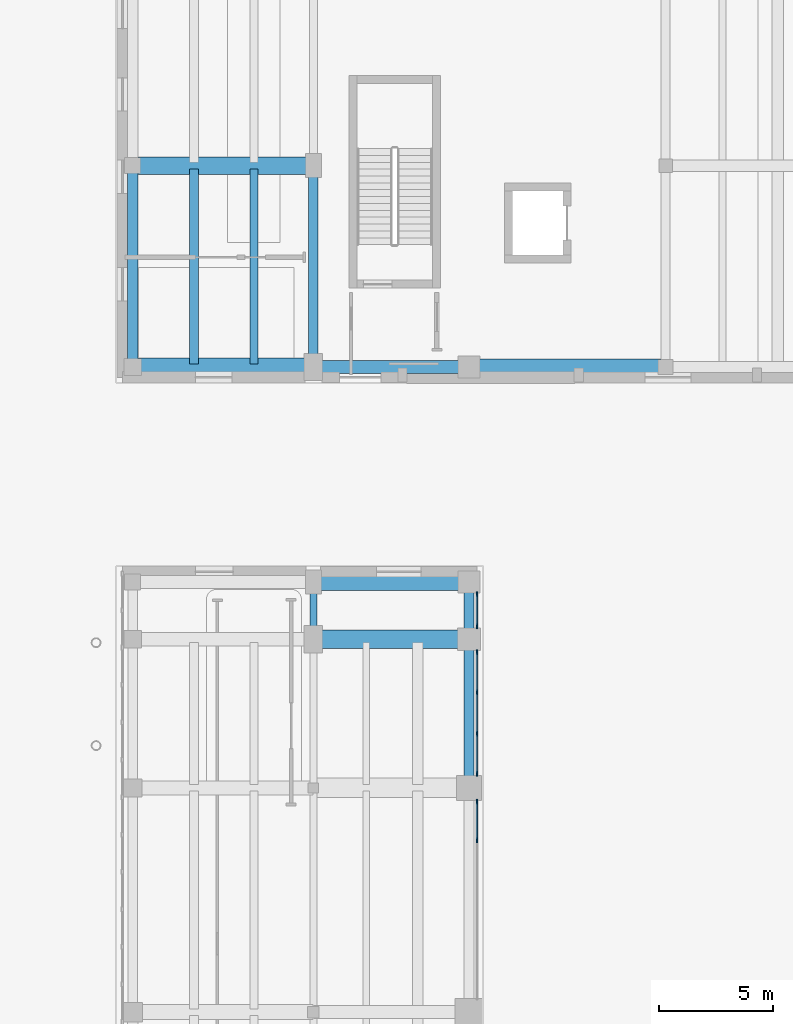
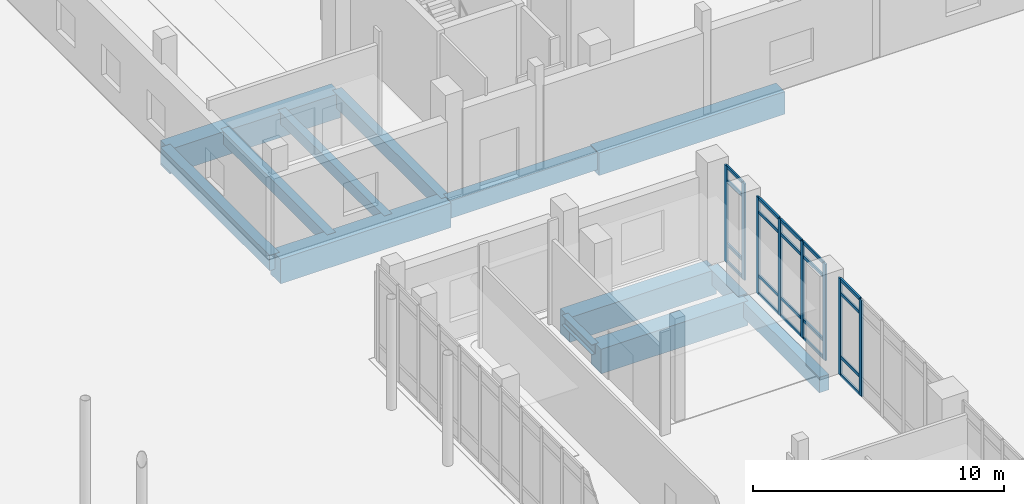
# One storey, part 20 of 74: 28 members, 13 beams, 3 elements without a shape of their own.
"""IFC4 building model written with IfcOpenShell, lengths in metres."""

import ifcopenshell
import ifcopenshell.guid

model = None  # the IFC model being written
_history = None  # IfcOwnerHistory: only IFC2X3 demands one
_inside = {}  # id of a spatial element -> (the spatial element, [elements in it])
_under = {}  # id of a project, library or spatial element -> (it, [spatial elements below it])
_declared = {}  # id of a project -> (the project, [libraries it declares])
_typed = {}  # id of a type object -> (the type object, [elements of that type])
_made_of = {}  # id of a material, layer set ... -> (it, [elements and type objects made of it])


def new_model(schema):
    """Start an empty IFC model of exactly this schema.

    Asked for "IFC4X3", IfcOpenShell would pick the latest addendum, in which some entities
    have other attributes; the version numbers below select the first issue.
    IFC2X3 requires an IfcOwnerHistory on every rooted entity: one is made here for all.
    """
    global model, _history
    if schema == "IFC4X3":
        model = ifcopenshell.file(schema_version=(4, 3, 0, 0))
    else:
        model = ifcopenshell.file(schema=schema)
    _inside.clear()
    _under.clear()
    _declared.clear()
    _typed.clear()
    _made_of.clear()
    _history = None
    if model.schema == "IFC2X3":
        org = make("IfcOrganization", Name="unknown")
        user = make(
            "IfcPersonAndOrganization",
            ThePerson=make("IfcPerson", FamilyName="unknown"),
            TheOrganization=org,
        )
        app = make(
            "IfcApplication",
            ApplicationDeveloper=org,
            Version="unknown",
            ApplicationFullName="unknown",
            ApplicationIdentifier="unknown",
        )
        _history = make(
            "IfcOwnerHistory",
            OwningUser=user,
            OwningApplication=app,
            ChangeAction="ADDED",
            CreationDate=0,
        )
    return model


def make(cls, **values):
    """One entity of the class cls with the attributes given. An attribute that is None is left unset."""
    return model.create_entity(
        cls, **{name: value for name, value in values.items() if value is not None}
    )


def rooted(cls, **values):
    """An entity with a GlobalId (a new one), such as an element, a storey or a relation."""
    return make(cls, GlobalId=ifcopenshell.guid.new(), OwnerHistory=_history, **values)


def si_unit(unit_type, name, prefix=None):
    """IfcSIUnit, for example si_unit("LENGTHUNIT", "METRE", prefix="MILLI")."""
    return make("IfcSIUnit", UnitType=unit_type, Prefix=prefix, Name=name)


def assignment(units):
    """IfcUnitAssignment: the units of a project."""
    return None if units is None else make("IfcUnitAssignment", Units=units)


def point(xyz):
    """IfcCartesianPoint."""
    return None if xyz is None else make("IfcCartesianPoint", Coordinates=xyz)


def direction(xyz):
    """IfcDirection."""
    return None if xyz is None else make("IfcDirection", DirectionRatios=xyz)


def frame(location, z_axis=None, x_axis=None):
    """IfcAxis2Placement3D, a coordinate frame: its origin and axes. An axis left out is left unset."""
    return make(
        "IfcAxis2Placement3D",
        Location=point(location),
        Axis=direction(z_axis),
        RefDirection=direction(x_axis),
    )


def frame_2d(location, x_axis=None):
    """IfcAxis2Placement2D, a coordinate frame in the plane: its origin and x axis."""
    return make(
        "IfcAxis2Placement2D", Location=point(location), RefDirection=direction(x_axis)
    )


def origin():
    """The frame at (0, 0, 0) with its axes left unset."""
    return frame((0.0, 0.0, 0.0))


def origin_2d():
    """The frame at (0, 0) in the plane with its x axis left unset."""
    return frame_2d((0.0, 0.0))


def place(relative_to, where):
    """IfcLocalPlacement: puts the frame where relative to a parent placement (None: the world)."""
    return make(
        "IfcLocalPlacement", PlacementRelTo=relative_to, RelativePlacement=where
    )


def context(
    kind, dimensions, precision=None, world=None, true_north=None, identifier=None
):
    """IfcGeometricRepresentationContext, for example the 3D "Model" context."""
    return make(
        "IfcGeometricRepresentationContext",
        ContextIdentifier=identifier,
        ContextType=kind,
        CoordinateSpaceDimension=dimensions,
        Precision=precision,
        WorldCoordinateSystem=world,
        TrueNorth=true_north,
    )


def subcontext(parent, identifier, kind, view, scale=None):
    """IfcGeometricRepresentationSubContext, for example "Body" below "Model"."""
    return make(
        "IfcGeometricRepresentationSubContext",
        ContextIdentifier=identifier,
        ContextType=kind,
        ParentContext=parent,
        TargetScale=scale,
        TargetView=view,
    )


def project(units=None, contexts=None):
    """IfcProject with its units and contexts."""
    return rooted(
        "IfcProject",
        Name="project",
        RepresentationContexts=contexts,
        UnitsInContext=assignment(units),
    )


def spatial(cls, under=None, at=None, **own):
    """A site, building, storey or space (cls), placed at a placement, below another one or the project."""
    s = rooted(cls, ObjectPlacement=at, **own)
    if under is not None:
        _under.setdefault(under.id(), (under, []))[1].append(s)
    return s


def profile(cls, at=None, kind="AREA", **sizes):
    """A parametric profile (cls). Its sizes go by their IFC names, for example OverallWidth=200.0."""
    return make(cls, ProfileType=kind, Position=at, **sizes)


def rectangle(**sizes):
    """IfcRectangleProfileDef."""
    return profile("IfcRectangleProfileDef", **sizes)


def i_section(**sizes):
    """IfcIShapeProfileDef."""
    return profile("IfcIShapeProfileDef", **sizes)


def extrude(swept, where, along, depth):
    """IfcExtrudedAreaSolid: the profile swept, set in the frame where, extruded along a direction by depth."""
    return make(
        "IfcExtrudedAreaSolid",
        SweptArea=swept,
        Position=where,
        ExtrudedDirection=direction(along),
        Depth=depth,
    )


def shape(context_of_items, identifier, shape_type, items):
    """IfcShapeRepresentation: the items that make up one representation, for example the "Body"."""
    return make(
        "IfcShapeRepresentation",
        ContextOfItems=context_of_items,
        RepresentationIdentifier=identifier,
        RepresentationType=shape_type,
        Items=items,
    )


def material(Name=None, Category=None):
    """IfcMaterial."""
    return make("IfcMaterial", Name=Name, Category=Category)


def material_profile(
    of_material, cross_section, Name=None, Category=None, Priority=None
):
    """IfcMaterialProfile: a cross section and its material."""
    return make(
        "IfcMaterialProfile",
        Name=Name,
        Material=of_material,
        Profile=cross_section,
        Priority=Priority,
        Category=Category,
    )


def profile_set(profiles, Name=None, composite=None):
    """IfcMaterialProfileSet."""
    return make(
        "IfcMaterialProfileSet",
        Name=Name,
        MaterialProfiles=profiles,
        CompositeProfile=composite,
    )


def made_of(thing, what):
    """Note that an element or type object is made of a material, layer set ...; save() writes the relation."""
    if what is not None:
        _made_of.setdefault(what.id(), (what, []))[1].append(thing)
    return thing


def type_object(cls, material=None, **own):
    """A type object (cls), such as IfcWallType, which elements share."""
    return made_of(rooted(cls, **own), material)


def element(
    cls,
    number,
    at=None,
    inside=None,
    cuts=None,
    type_object=None,
    material=None,
    context=None,
    identifier="Body",
    shape_type=None,
    held_by="IfcProductDefinitionShape",
    body=None,
    shapes=None,
    **own,
):
    """One element of the class cls, such as IfcWall. Its Tag is "e" and its number.

    at: its placement. inside: the storey or other place that contains it. cuts: it is an
    opening in that element (IfcRelVoidsElement). A single representation is given by context,
    identifier, shape_type and body (its items); several are given by shapes. held_by: the class
    of the entity that holds the representations. save() writes the other relations.
    """
    e = rooted(cls, Tag="e%d" % number, ObjectPlacement=at, **own)
    if body is not None:
        shapes = [shape(context, identifier, shape_type, body)]
    if shapes is not None:
        e.Representation = make(held_by, Representations=shapes)
    if inside is not None:
        _inside.setdefault(inside.id(), (inside, []))[1].append(e)
    if cuts is not None:
        rooted(
            "IfcRelVoidsElement", RelatingBuildingElement=cuts, RelatedOpeningElement=e
        )
    if type_object is not None:
        _typed.setdefault(type_object.id(), (type_object, []))[1].append(e)
    return made_of(e, material)


def aggregate(whole, parts):
    """IfcRelAggregates: a whole, such as a stair, and the parts it consists of."""
    return rooted("IfcRelAggregates", RelatingObject=whole, RelatedObjects=parts)


def save(model, path):
    """Write the relations noted so far, then the file.

    IfcRelAggregates (storeys below a building ...), IfcRelContainedInSpatialStructure (elements
    in a storey), IfcRelDefinesByType, IfcRelAssociatesMaterial and IfcRelDeclares: one each for
    every whole, place, type object, material and project.
    """
    for whole, parts in _under.values():
        aggregate(whole, parts)
    for where, things in _inside.values():
        rooted(
            "IfcRelContainedInSpatialStructure",
            RelatedElements=things,
            RelatingStructure=where,
        )
    for kind, things in _typed.values():
        rooted("IfcRelDefinesByType", RelatedObjects=things, RelatingType=kind)
    for what, things in _made_of.values():
        rooted("IfcRelAssociatesMaterial", RelatedObjects=things, RelatingMaterial=what)
    for by, libraries in _declared.values():
        rooted("IfcRelDeclares", RelatingContext=by, RelatedDefinitions=libraries)
    model.write(path)


model = new_model("IFC4")

# Units and contexts
model_context = context("Model", 3, precision=1e-05, world=origin(), true_north=direction((0.0, 1.0)))
body_context = subcontext(model_context, "Body", "Model", "MODEL_VIEW")
ifc_project = project(units=[si_unit("LENGTHUNIT", "METRE"), si_unit("AREAUNIT", "SQUARE_METRE"), si_unit("VOLUMEUNIT", "CUBIC_METRE"), si_unit("PLANEANGLEUNIT", "RADIAN"), si_unit("MASSUNIT", "GRAM", prefix="KILO")], contexts=[model_context])

# Site, building, storey
site_placement = place(None, origin())
site = spatial("IfcSite", under=ifc_project, at=site_placement, CompositionType="ELEMENT")
building_placement = place(site_placement, origin())
building = spatial("IfcBuilding", under=site, at=building_placement, Name="Soyqirgoq Riverine Aquarium", CompositionType="ELEMENT")
storey_placement = place(building_placement, origin())
storey = spatial("IfcBuildingStorey", under=building, at=storey_placement, Name="L01", CompositionType="ELEMENT", Elevation=0.0)

# Beams
ifc_material_1 = material(Name="Concrete C40/50", Category="concrete")
ifc_material_profile_1 = material_profile(ifc_material_1, rectangle(XDim=0.39990234375, YDim=0.60009765625, at=origin_2d()), Name="RC 400x600")
ifc_profile_set_1 = profile_set([ifc_material_profile_1], Name="Concrete C40/50")
beam_type_1 = type_object("IfcBeamType", Name="Beam_RC_400x600", PredefinedType="JOIST", material=ifc_profile_set_1)
beam_1_placement = place(storey_placement, frame((117.385986328125, 56.840087890625, -0.719970703125), z_axis=(0.0, 1.0, 0.0), x_axis=(-1.0, 0.0, 0.0)))
element("IfcBeam", 1, at=beam_1_placement, inside=storey, type_object=beam_type_1, Name="V7 L01 Secondary Bay Joist 1257", PredefinedType="JOIST", context=body_context, shape_type="SweptSolid", body=[
    extrude(rectangle(XDim=0.39990234375, YDim=0.60009765625, at=origin_2d()), origin(), (0.0, 0.0, 1.0), 8.52001953125),
])
ifc_material_2 = material(Name="Concrete C40/50", Category="concrete")
ifc_material_profile_2 = material_profile(ifc_material_2, rectangle(XDim=0.419921875, YDim=0.679931640625, at=origin_2d()), Name="RC 420x680")
ifc_profile_set_2 = profile_set([ifc_material_profile_2], Name="Concrete C40/50")
beam_type_2 = type_object("IfcBeamType", Name="Beam_RC_420x680", PredefinedType="BEAM", material=ifc_profile_set_2)
beam_2_placement = place(storey_placement, frame((122.60009765625, 56.75, -0.760009765625), z_axis=(0.0, 1.0, 0.0), x_axis=(-1.0, 0.0, 0.0)))
element("IfcBeam", 2, at=beam_2_placement, inside=storey, type_object=beam_type_2, Name="V7 L01 North-South Frame Beam 1222", PredefinedType="BEAM", context=body_context, shape_type="SweptSolid", body=[
    extrude(rectangle(XDim=0.419921875, YDim=0.679931640625, at=origin_2d()), origin(), (0.0, 0.0, 1.0), 8.699951171875),
])
ifc_material_3 = material(Name="Concrete C40/50", Category="concrete")
ifc_material_profile_3 = material_profile(ifc_material_3, rectangle(XDim=0.449951171875, YDim=0.699951171875, at=origin_2d()), Name="RC 450x700")
ifc_profile_set_3 = profile_set([ifc_material_profile_3], Name="Concrete C40/50")
beam_type_3 = type_object("IfcBeamType", Name="Beam_RC_450x700", PredefinedType="BEAM", material=ifc_profile_set_3)
beam_3_placement = place(storey_placement, frame((129.39990234375, 44.85009765625, -0.699951171875), z_axis=(0.0, 1.0, 0.0), x_axis=(-1.0, 0.0, 0.0)))
element("IfcBeam", 3, at=beam_3_placement, inside=storey, type_object=beam_type_3, Name="V6 L01 North-South Frame Beam 1036", PredefinedType="BEAM", context=body_context, shape_type="SweptSolid", body=[
    extrude(rectangle(XDim=0.449951171875, YDim=0.699951171875, at=origin_2d()), origin(), (0.0, 0.0, 1.0), 2.39990234375),
])
ifc_material_4 = material(Name="Concrete C40/50", Category="concrete")
ifc_material_profile_4 = material_profile(ifc_material_4, rectangle(XDim=0.449951171875, YDim=0.75, at=origin_2d()), Name="RC 450x750")
ifc_profile_set_4 = profile_set([ifc_material_profile_4], Name="Concrete C40/50")
beam_type_4 = type_object("IfcBeamType", Name="Beam_RC_450x750", PredefinedType="BEAM", material=ifc_profile_set_4)
beam_4_placement = place(storey_placement, frame((129.39990234375, 38.35009765625, -0.72509765625), z_axis=(0.0, 1.0, 0.0), x_axis=(-1.0, 0.0, 0.0)))
element("IfcBeam", 4, at=beam_4_placement, inside=storey, type_object=beam_type_4, Name="V6 L01 North-South Frame Beam 1035", PredefinedType="BEAM", context=body_context, shape_type="SweptSolid", body=[
    extrude(rectangle(XDim=0.449951171875, YDim=0.75, at=origin_2d()), origin(), (0.0, 0.0, 1.0), 6.39990234375),
])
beam_5_placement = place(storey_placement, frame((114.699951171875, 56.75, -0.794921875), z_axis=(0.0, 1.0, 0.0), x_axis=(-1.0, 0.0, 0.0)))
element("IfcBeam", 5, at=beam_5_placement, inside=storey, type_object=beam_type_4, Name="V7 L01 North-South Frame Beam 1209", PredefinedType="BEAM", context=body_context, shape_type="SweptSolid", body=[
    extrude(rectangle(XDim=0.449951171875, YDim=0.75, at=origin_2d()), origin(), (0.0, 0.0, 1.0), 8.699951171875),
])

# Curtain wall, members
ifc_material_5 = material(Name="Structural silicone glazed entrance curtain wall", Category="aluminium")
curtain_wall_type = type_object("IfcCurtainWallType", Name="CW_Portal_Entrance", PredefinedType="NOTDEFINED", material=ifc_material_5)
curtain_wall_1_placement = place(storey_placement, origin())
curtain_wall_1 = element("IfcCurtainWall", 6, at=curtain_wall_1_placement, inside=storey, type_object=curtain_wall_type, Name="V6 L01 Curtain Wall 107", PredefinedType="NOTDEFINED")
ifc_material_6 = material(Name="Anodised aluminium 6063-T6", Category="aluminium")
ifc_material_profile_5 = material_profile(ifc_material_6, rectangle(XDim=0.080078125, YDim=0.219970703125, at=origin_2d()), Name="ALU-M 80x220")
ifc_profile_set_5 = profile_set([ifc_material_profile_5], Name="Anodised aluminium 6063-T6")
member_type_1 = type_object("IfcMemberType", Name="CWMullion_80x220", PredefinedType="MULLION", material=ifc_profile_set_5)
member_1_placement = place(storey_placement, frame((129.75, 46.764892578125, 0.0), z_axis=(0.0, 0.0, 1.0), x_axis=(1.0, 0.0, 0.0)))
member_1 = element("IfcMember", 7, at=member_1_placement, type_object=member_type_1, Name="CW-04 mullion 1", PredefinedType="MULLION", context=body_context, shape_type="SweptSolid", body=[
    extrude(rectangle(XDim=0.080078125, YDim=0.219970703125, at=origin_2d()), origin(), (0.0, 0.0, 1.0), 4.699951171875),
])
member_2_placement = place(storey_placement, frame((129.75, 45.360107421875, 0.0), z_axis=(0.0, 0.0, 1.0), x_axis=(1.0, 0.0, 0.0)))
member_2 = element("IfcMember", 8, at=member_2_placement, type_object=member_type_1, Name="CW-04 mullion 2", PredefinedType="MULLION", context=body_context, shape_type="SweptSolid", body=[
    extrude(rectangle(XDim=0.080078125, YDim=0.219970703125, at=origin_2d()), origin(), (0.0, 0.0, 1.0), 4.699951171875),
])

curtain_wall_2_placement = place(storey_placement, origin())
curtain_wall_2 = element("IfcCurtainWall", 9, at=curtain_wall_2_placement, inside=storey, type_object=curtain_wall_type, Name="V6 L01 Curtain Wall 108", PredefinedType="NOTDEFINED")
member_3_placement = place(storey_placement, frame((129.75, 44.239990234375, 0.0), z_axis=(0.0, 0.0, 1.0), x_axis=(1.0, 0.0, 0.0)))
member_3 = element("IfcMember", 10, at=member_3_placement, type_object=member_type_1, Name="CW-04 mullion 1", PredefinedType="MULLION", context=body_context, shape_type="SweptSolid", body=[
    extrude(rectangle(XDim=0.080078125, YDim=0.219970703125, at=origin_2d()), origin(), (0.0, 0.0, 1.0), 4.699951171875),
])
member_4_placement = place(storey_placement, frame((129.75, 42.4765625, 0.0), z_axis=(0.0, 0.0, 1.0), x_axis=(1.0, 0.0, 0.0)))
member_4 = element("IfcMember", 11, at=member_4_placement, type_object=member_type_1, Name="CW-04 mullion 2", PredefinedType="MULLION", context=body_context, shape_type="SweptSolid", body=[
    extrude(rectangle(XDim=0.080078125, YDim=0.219970703125, at=origin_2d()), origin(), (0.0, 0.0, 1.0), 4.699951171875),
])
member_5_placement = place(storey_placement, frame((129.75, 40.67333984375, 0.0), z_axis=(0.0, 0.0, 1.0), x_axis=(1.0, 0.0, 0.0)))
member_5 = element("IfcMember", 12, at=member_5_placement, type_object=member_type_1, Name="CW-04 mullion 3", PredefinedType="MULLION", context=body_context, shape_type="SweptSolid", body=[
    extrude(rectangle(XDim=0.080078125, YDim=0.219970703125, at=origin_2d()), origin(), (0.0, 0.0, 1.0), 4.699951171875),
])
member_6_placement = place(storey_placement, frame((129.75, 38.909912109375, 0.0), z_axis=(0.0, 0.0, 1.0), x_axis=(1.0, 0.0, 0.0)))
member_6 = element("IfcMember", 13, at=member_6_placement, type_object=member_type_1, Name="CW-04 mullion 4", PredefinedType="MULLION", context=body_context, shape_type="SweptSolid", body=[
    extrude(rectangle(XDim=0.080078125, YDim=0.219970703125, at=origin_2d()), origin(), (0.0, 0.0, 1.0), 4.699951171875),
])

curtain_wall_3_placement = place(storey_placement, origin())
curtain_wall_3 = element("IfcCurtainWall", 14, at=curtain_wall_3_placement, inside=storey, type_object=curtain_wall_type, Name="V6 L01 Curtain Wall 109", PredefinedType="NOTDEFINED")
member_7_placement = place(storey_placement, frame((129.75, 37.68994140625, 0.0), z_axis=(0.0, 0.0, 1.0), x_axis=(1.0, 0.0, 0.0)))
member_7 = element("IfcMember", 15, at=member_7_placement, type_object=member_type_1, Name="CW-04 mullion 1", PredefinedType="MULLION", context=body_context, shape_type="SweptSolid", body=[
    extrude(rectangle(XDim=0.080078125, YDim=0.219970703125, at=origin_2d()), origin(), (0.0, 0.0, 1.0), 4.699951171875),
])
member_8_placement = place(storey_placement, frame((129.75, 36.008056640625, 0.0), z_axis=(0.0, 0.0, 1.0), x_axis=(1.0, 0.0, 0.0)))
member_8 = element("IfcMember", 16, at=member_8_placement, type_object=member_type_1, Name="CW-04 mullion 2", PredefinedType="MULLION", context=body_context, shape_type="SweptSolid", body=[
    extrude(rectangle(XDim=0.080078125, YDim=0.219970703125, at=origin_2d()), origin(), (0.0, 0.0, 1.0), 4.699951171875),
])

# Member
ifc_material_7 = material(Name="Anodised aluminium 6063-T6", Category="aluminium")
ifc_material_profile_6 = material_profile(ifc_material_7, rectangle(XDim=0.074951171875, YDim=0.14990234375, at=origin_2d()), Name="ALU-T 75x150")
ifc_profile_set_6 = profile_set([ifc_material_profile_6], Name="Anodised aluminium 6063-T6")
member_type_2 = type_object("IfcMemberType", Name="CWTransom_75x150", PredefinedType="USERDEFINED", material=ifc_profile_set_6)
member_9_placement = place(storey_placement, frame((129.75, 46.72509765625, 0.03759765625), z_axis=(0.0, -1.0, 0.0), x_axis=(1.0, 0.0, 0.0)))
member_9 = element("IfcMember", 17, at=member_9_placement, type_object=member_type_2, Name="CW-04 transom 1.1", ObjectType="TRANSOM", PredefinedType="USERDEFINED", context=body_context, shape_type="SweptSolid", body=[
    extrude(rectangle(XDim=0.074951171875, YDim=0.14990234375, at=origin_2d()), origin(), (0.0, 0.0, 1.0), 1.3251953125),
])

member_10_placement = place(storey_placement, frame((129.75, 46.72509765625, 0.89990234375), z_axis=(0.0, -1.0, 0.0), x_axis=(1.0, 0.0, 0.0)))
member_10 = element("IfcMember", 18, at=member_10_placement, type_object=member_type_2, Name="CW-04 transom 1.2", ObjectType="TRANSOM", PredefinedType="USERDEFINED", context=body_context, shape_type="SweptSolid", body=[
    extrude(rectangle(XDim=0.074951171875, YDim=0.14990234375, at=origin_2d()), origin(), (0.0, 0.0, 1.0), 1.3251953125),
])

member_11_placement = place(storey_placement, frame((129.75, 46.72509765625, 4.0), z_axis=(0.0, -1.0, 0.0), x_axis=(1.0, 0.0, 0.0)))
member_11 = element("IfcMember", 19, at=member_11_placement, type_object=member_type_2, Name="CW-04 transom 1.3", ObjectType="TRANSOM", PredefinedType="USERDEFINED", context=body_context, shape_type="SweptSolid", body=[
    extrude(rectangle(XDim=0.074951171875, YDim=0.14990234375, at=origin_2d()), origin(), (0.0, 0.0, 1.0), 1.3251953125),
])

member_12_placement = place(storey_placement, frame((129.75, 46.72509765625, 4.66259765625), z_axis=(0.0, -1.0, 0.0), x_axis=(1.0, 0.0, 0.0)))
member_12 = element("IfcMember", 20, at=member_12_placement, type_object=member_type_2, Name="CW-04 transom 1.4", ObjectType="TRANSOM", PredefinedType="USERDEFINED", context=body_context, shape_type="SweptSolid", body=[
    extrude(rectangle(XDim=0.074951171875, YDim=0.14990234375, at=origin_2d()), origin(), (0.0, 0.0, 1.0), 1.3251953125),
])

aggregate(curtain_wall_1, [member_1, member_2, member_9, member_10, member_11, member_12])

member_13_placement = place(storey_placement, frame((129.75, 44.199951171875, 0.03759765625), z_axis=(0.0, -1.0, 0.0), x_axis=(1.0, 0.0, 0.0)))
member_13 = element("IfcMember", 21, at=member_13_placement, type_object=member_type_2, Name="CW-04 transom 1.1", ObjectType="TRANSOM", PredefinedType="USERDEFINED", context=body_context, shape_type="SweptSolid", body=[
    extrude(rectangle(XDim=0.074951171875, YDim=0.14990234375, at=origin_2d()), origin(), (0.0, 0.0, 1.0), 1.683349609375),
])

member_14_placement = place(storey_placement, frame((129.75, 44.199951171875, 0.89990234375), z_axis=(0.0, -1.0, 0.0), x_axis=(1.0, 0.0, 0.0)))
member_14 = element("IfcMember", 22, at=member_14_placement, type_object=member_type_2, Name="CW-04 transom 1.2", ObjectType="TRANSOM", PredefinedType="USERDEFINED", context=body_context, shape_type="SweptSolid", body=[
    extrude(rectangle(XDim=0.074951171875, YDim=0.14990234375, at=origin_2d()), origin(), (0.0, 0.0, 1.0), 1.683349609375),
])

member_15_placement = place(storey_placement, frame((129.75, 44.199951171875, 4.0), z_axis=(0.0, -1.0, 0.0), x_axis=(1.0, 0.0, 0.0)))
member_15 = element("IfcMember", 23, at=member_15_placement, type_object=member_type_2, Name="CW-04 transom 1.3", ObjectType="TRANSOM", PredefinedType="USERDEFINED", context=body_context, shape_type="SweptSolid", body=[
    extrude(rectangle(XDim=0.074951171875, YDim=0.14990234375, at=origin_2d()), origin(), (0.0, 0.0, 1.0), 1.683349609375),
])

member_16_placement = place(storey_placement, frame((129.75, 44.199951171875, 4.66259765625), z_axis=(0.0, -1.0, 0.0), x_axis=(1.0, 0.0, 0.0)))
member_16 = element("IfcMember", 24, at=member_16_placement, type_object=member_type_2, Name="CW-04 transom 1.4", ObjectType="TRANSOM", PredefinedType="USERDEFINED", context=body_context, shape_type="SweptSolid", body=[
    extrude(rectangle(XDim=0.074951171875, YDim=0.14990234375, at=origin_2d()), origin(), (0.0, 0.0, 1.0), 1.683349609375),
])

member_17_placement = place(storey_placement, frame((129.75, 42.436767578125, 0.03759765625), z_axis=(0.0, -1.0, 0.0), x_axis=(1.0, 0.0, 0.0)))
member_17 = element("IfcMember", 25, at=member_17_placement, type_object=member_type_2, Name="CW-04 transom 2.1", ObjectType="TRANSOM", PredefinedType="USERDEFINED", context=body_context, shape_type="SweptSolid", body=[
    extrude(rectangle(XDim=0.074951171875, YDim=0.14990234375, at=origin_2d()), origin(), (0.0, 0.0, 1.0), 1.723388671875),
])

member_18_placement = place(storey_placement, frame((129.75, 42.436767578125, 0.89990234375), z_axis=(0.0, -1.0, 0.0), x_axis=(1.0, 0.0, 0.0)))
member_18 = element("IfcMember", 26, at=member_18_placement, type_object=member_type_2, Name="CW-04 transom 2.2", ObjectType="TRANSOM", PredefinedType="USERDEFINED", context=body_context, shape_type="SweptSolid", body=[
    extrude(rectangle(XDim=0.074951171875, YDim=0.14990234375, at=origin_2d()), origin(), (0.0, 0.0, 1.0), 1.723388671875),
])

member_19_placement = place(storey_placement, frame((129.75, 42.436767578125, 4.0), z_axis=(0.0, -1.0, 0.0), x_axis=(1.0, 0.0, 0.0)))
member_19 = element("IfcMember", 27, at=member_19_placement, type_object=member_type_2, Name="CW-04 transom 2.3", ObjectType="TRANSOM", PredefinedType="USERDEFINED", context=body_context, shape_type="SweptSolid", body=[
    extrude(rectangle(XDim=0.074951171875, YDim=0.14990234375, at=origin_2d()), origin(), (0.0, 0.0, 1.0), 1.723388671875),
])

member_20_placement = place(storey_placement, frame((129.75, 42.436767578125, 4.66259765625), z_axis=(0.0, -1.0, 0.0), x_axis=(1.0, 0.0, 0.0)))
member_20 = element("IfcMember", 28, at=member_20_placement, type_object=member_type_2, Name="CW-04 transom 2.4", ObjectType="TRANSOM", PredefinedType="USERDEFINED", context=body_context, shape_type="SweptSolid", body=[
    extrude(rectangle(XDim=0.074951171875, YDim=0.14990234375, at=origin_2d()), origin(), (0.0, 0.0, 1.0), 1.723388671875),
])

member_21_placement = place(storey_placement, frame((129.75, 40.63330078125, 0.03759765625), z_axis=(0.0, -1.0, 0.0), x_axis=(1.0, 0.0, 0.0)))
member_21 = element("IfcMember", 29, at=member_21_placement, type_object=member_type_2, Name="CW-04 transom 3.1", ObjectType="TRANSOM", PredefinedType="USERDEFINED", context=body_context, shape_type="SweptSolid", body=[
    extrude(rectangle(XDim=0.074951171875, YDim=0.14990234375, at=origin_2d()), origin(), (0.0, 0.0, 1.0), 1.683349609375),
])

member_22_placement = place(storey_placement, frame((129.75, 40.63330078125, 0.89990234375), z_axis=(0.0, -1.0, 0.0), x_axis=(1.0, 0.0, 0.0)))
member_22 = element("IfcMember", 30, at=member_22_placement, type_object=member_type_2, Name="CW-04 transom 3.2", ObjectType="TRANSOM", PredefinedType="USERDEFINED", context=body_context, shape_type="SweptSolid", body=[
    extrude(rectangle(XDim=0.074951171875, YDim=0.14990234375, at=origin_2d()), origin(), (0.0, 0.0, 1.0), 1.683349609375),
])

member_23_placement = place(storey_placement, frame((129.75, 40.63330078125, 4.0), z_axis=(0.0, -1.0, 0.0), x_axis=(1.0, 0.0, 0.0)))
member_23 = element("IfcMember", 31, at=member_23_placement, type_object=member_type_2, Name="CW-04 transom 3.3", ObjectType="TRANSOM", PredefinedType="USERDEFINED", context=body_context, shape_type="SweptSolid", body=[
    extrude(rectangle(XDim=0.074951171875, YDim=0.14990234375, at=origin_2d()), origin(), (0.0, 0.0, 1.0), 1.683349609375),
])

member_24_placement = place(storey_placement, frame((129.75, 40.63330078125, 4.66259765625), z_axis=(0.0, -1.0, 0.0), x_axis=(1.0, 0.0, 0.0)))
member_24 = element("IfcMember", 32, at=member_24_placement, type_object=member_type_2, Name="CW-04 transom 3.4", ObjectType="TRANSOM", PredefinedType="USERDEFINED", context=body_context, shape_type="SweptSolid", body=[
    extrude(rectangle(XDim=0.074951171875, YDim=0.14990234375, at=origin_2d()), origin(), (0.0, 0.0, 1.0), 1.683349609375),
])

aggregate(curtain_wall_2, [member_3, member_4, member_5, member_6, member_13, member_14, member_15, member_16, member_17, member_18, member_19, member_20, member_21, member_22, member_23, member_24])

member_25_placement = place(storey_placement, frame((129.75, 37.64990234375, 0.03759765625), z_axis=(0.0, -1.0, 0.0), x_axis=(1.0, 0.0, 0.0)))
member_25 = element("IfcMember", 33, at=member_25_placement, type_object=member_type_2, Name="CW-04 transom 1.1", ObjectType="TRANSOM", PredefinedType="USERDEFINED", context=body_context, shape_type="SweptSolid", body=[
    extrude(rectangle(XDim=0.074951171875, YDim=0.14990234375, at=origin_2d()), origin(), (0.0, 0.0, 1.0), 1.601806640625),
])

member_26_placement = place(storey_placement, frame((129.75, 37.64990234375, 0.89990234375), z_axis=(0.0, -1.0, 0.0), x_axis=(1.0, 0.0, 0.0)))
member_26 = element("IfcMember", 34, at=member_26_placement, type_object=member_type_2, Name="CW-04 transom 1.2", ObjectType="TRANSOM", PredefinedType="USERDEFINED", context=body_context, shape_type="SweptSolid", body=[
    extrude(rectangle(XDim=0.074951171875, YDim=0.14990234375, at=origin_2d()), origin(), (0.0, 0.0, 1.0), 1.601806640625),
])

member_27_placement = place(storey_placement, frame((129.75, 37.64990234375, 4.0), z_axis=(0.0, -1.0, 0.0), x_axis=(1.0, 0.0, 0.0)))
member_27 = element("IfcMember", 35, at=member_27_placement, type_object=member_type_2, Name="CW-04 transom 1.3", ObjectType="TRANSOM", PredefinedType="USERDEFINED", context=body_context, shape_type="SweptSolid", body=[
    extrude(rectangle(XDim=0.074951171875, YDim=0.14990234375, at=origin_2d()), origin(), (0.0, 0.0, 1.0), 1.601806640625),
])

member_28_placement = place(storey_placement, frame((129.75, 37.64990234375, 4.66259765625), z_axis=(0.0, -1.0, 0.0), x_axis=(1.0, 0.0, 0.0)))
member_28 = element("IfcMember", 36, at=member_28_placement, type_object=member_type_2, Name="CW-04 transom 1.4", ObjectType="TRANSOM", PredefinedType="USERDEFINED", context=body_context, shape_type="SweptSolid", body=[
    extrude(rectangle(XDim=0.074951171875, YDim=0.14990234375, at=origin_2d()), origin(), (0.0, 0.0, 1.0), 1.601806640625),
])

aggregate(curtain_wall_3, [member_7, member_8, member_25, member_26, member_27, member_28])

# Beams
ifc_material_8 = material(Name="Concrete C40/50", Category="concrete")
ifc_material_profile_7 = material_profile(ifc_material_8, rectangle(XDim=0.550048828125, YDim=0.85009765625, at=origin_2d()), Name="RC 550x850")
ifc_profile_set_7 = profile_set([ifc_material_profile_7], Name="Concrete C40/50")
beam_type_5 = type_object("IfcBeamType", Name="Girder_RC_550x850", PredefinedType="BEAM", material=ifc_profile_set_7)
beam_6_placement = place(storey_placement, frame((122.6201171875, 56.699951171875, -0.844970703125), z_axis=(1.0, 0.0, 0.0), x_axis=(0.0, 1.0, 0.0)))
element("IfcBeam", 37, at=beam_6_placement, inside=storey, type_object=beam_type_5, Name="V7 L01 East-West Frame Girder 1223", PredefinedType="BEAM", context=body_context, shape_type="SweptSolid", body=[
    extrude(rectangle(XDim=0.550048828125, YDim=0.85009765625, at=origin_2d()), origin(), (0.0, 0.0, 1.0), 6.759765625),
])
ifc_material_9 = material(Name="Concrete C40/50", Category="concrete")
ifc_material_profile_8 = material_profile(ifc_material_9, rectangle(XDim=0.699951171875, YDim=1.10009765625, at=origin_2d()), Name="RC 700x1100")
ifc_profile_set_8 = profile_set([ifc_material_profile_8], Name="Concrete C40/50")
beam_type_6 = type_object("IfcBeamType", Name="Girder_RC_700x1100", PredefinedType="BEAM", material=ifc_profile_set_8)
beam_7_placement = place(storey_placement, frame((129.419921875, 56.699951171875, -0.969970703125), z_axis=(1.0, 0.0, 0.0), x_axis=(0.0, 1.0, 0.0)))
element("IfcBeam", 38, at=beam_7_placement, inside=storey, type_object=beam_type_6, Name="V7 L01 East-West Frame Girder 1234", PredefinedType="BEAM", context=body_context, shape_type="SweptSolid", body=[
    extrude(rectangle(XDim=0.699951171875, YDim=1.10009765625, at=origin_2d()), origin(), (0.0, 0.0, 1.0), 8.56005859375),
])
ifc_material_10 = material(Name="Concrete C40/50", Category="concrete")
ifc_material_profile_9 = material_profile(ifc_material_10, rectangle(XDim=0.75, YDim=1.199951171875, at=origin_2d()), Name="RC 750x1200")
ifc_profile_set_9 = profile_set([ifc_material_profile_9], Name="Concrete C40/50")
beam_type_7 = type_object("IfcBeamType", Name="Girder_RC_750x1200", PredefinedType="BEAM", material=ifc_profile_set_9)
beam_8_placement = place(storey_placement, frame((122.6201171875, 47.300048828125, -0.949951171875), z_axis=(1.0, 0.0, 0.0), x_axis=(0.0, 1.0, 0.0)))
element("IfcBeam", 39, at=beam_8_placement, inside=storey, type_object=beam_type_7, Name="V6 L01 East-West Frame Girder 1030", PredefinedType="BEAM", context=body_context, shape_type="SweptSolid", body=[
    extrude(rectangle(XDim=0.75, YDim=1.199951171875, at=origin_2d()), origin(), (0.0, 0.0, 1.0), 6.759765625),
])
beam_9_placement = place(storey_placement, frame((114.719970703125, 65.5, -1.02001953125), z_axis=(1.0, 0.0, 0.0), x_axis=(0.0, 1.0, 0.0)))
element("IfcBeam", 40, at=beam_9_placement, inside=storey, type_object=beam_type_7, Name="V7 L01 East-West Frame Girder 1212", PredefinedType="BEAM", context=body_context, shape_type="SweptSolid", body=[
    extrude(rectangle(XDim=0.75, YDim=1.199951171875, at=origin_2d()), origin(), (0.0, 0.0, 1.0), 7.860107421875),
])
ifc_material_11 = material(Name="Concrete C40/50", Category="concrete")
ifc_material_profile_10 = material_profile(ifc_material_11, rectangle(XDim=0.800048828125, YDim=1.199951171875, at=origin_2d()), Name="RC 800x1200")
ifc_profile_set_10 = profile_set([ifc_material_profile_10], Name="Concrete C40/50")
beam_type_8 = type_object("IfcBeamType", Name="Girder_RC_800x1200", PredefinedType="BEAM", material=ifc_profile_set_10)
beam_10_placement = place(storey_placement, frame((122.6201171875, 44.800048828125, -0.949951171875), z_axis=(1.0, 0.0, 0.0), x_axis=(0.0, 1.0, 0.0)))
element("IfcBeam", 41, at=beam_10_placement, inside=storey, type_object=beam_type_8, Name="V6 L01 East-West Frame Girder 1029", PredefinedType="BEAM", context=body_context, shape_type="SweptSolid", body=[
    extrude(rectangle(XDim=0.800048828125, YDim=1.199951171875, at=origin_2d()), origin(), (0.0, 0.0, 1.0), 6.759765625),
])
beam_11_placement = place(storey_placement, frame((114.719970703125, 56.699951171875, -1.02001953125), z_axis=(1.0, 0.0, 0.0), x_axis=(0.0, 1.0, 0.0)))
element("IfcBeam", 42, at=beam_11_placement, inside=storey, type_object=beam_type_8, Name="V7 L01 East-West Frame Girder 1210", PredefinedType="BEAM", context=body_context, shape_type="SweptSolid", body=[
    extrude(rectangle(XDim=0.800048828125, YDim=1.199951171875, at=origin_2d()), origin(), (0.0, 0.0, 1.0), 7.860107421875),
])
ifc_material_12 = material(Name="Structural steel S355", Category="steel")
ifc_material_profile_11 = material_profile(ifc_material_12, i_section(OverallWidth=0.300048828125, OverallDepth=0.489990234375, WebThickness=0.011962890625, FlangeThickness=0.02294921875, FilletRadius=0.027099609375, at=origin_2d()), Name="HEA 500")
ifc_profile_set_11 = profile_set([ifc_material_profile_11], Name="Structural steel S355")
beam_type_9 = type_object("IfcBeamType", Name="SteelBeam_HEA500", PredefinedType="BEAM", material=ifc_profile_set_11)
beam_12_placement = place(storey_placement, frame((122.60009765625, 44.85009765625, -0.594970703125), z_axis=(0.0, 1.0, 0.0), x_axis=(-1.0, 0.0, 0.0)))
element("IfcBeam", 43, at=beam_12_placement, inside=storey, type_object=beam_type_9, Name="V6 L01 North-South Frame Beam 1028", PredefinedType="BEAM", context=body_context, shape_type="SweptSolid", body=[
    extrude(i_section(OverallWidth=0.300048828125, OverallDepth=0.489990234375, WebThickness=0.011962890625, FlangeThickness=0.02294921875, FilletRadius=0.027099609375, at=origin_2d()), origin(), (0.0, 0.0, 1.0), 2.39990234375),
])
ifc_material_13 = material(Name="Concrete C40/50", Category="concrete")
ifc_material_profile_12 = material_profile(ifc_material_13, rectangle(XDim=0.35009765625, YDim=0.550048828125, at=origin_2d()), Name="RC 350x550")
ifc_profile_set_12 = profile_set([ifc_material_profile_12], Name="Concrete C40/50")
beam_type_10 = type_object("IfcBeamType", Name="TBeam_RC_350x550", PredefinedType="T_BEAM", material=ifc_profile_set_12)
beam_13_placement = place(storey_placement, frame((119.992919921875, 56.840087890625, -0.695068359375), z_axis=(0.0, 1.0, 0.0), x_axis=(-1.0, 0.0, 0.0)))
element("IfcBeam", 44, at=beam_13_placement, inside=storey, type_object=beam_type_10, Name="V7 L01 Secondary Bay Joist 1258", PredefinedType="T_BEAM", context=body_context, shape_type="SweptSolid", body=[
    extrude(rectangle(XDim=0.35009765625, YDim=0.550048828125, at=origin_2d()), origin(), (0.0, 0.0, 1.0), 8.52001953125),
])

save(model, "model.ifc")
